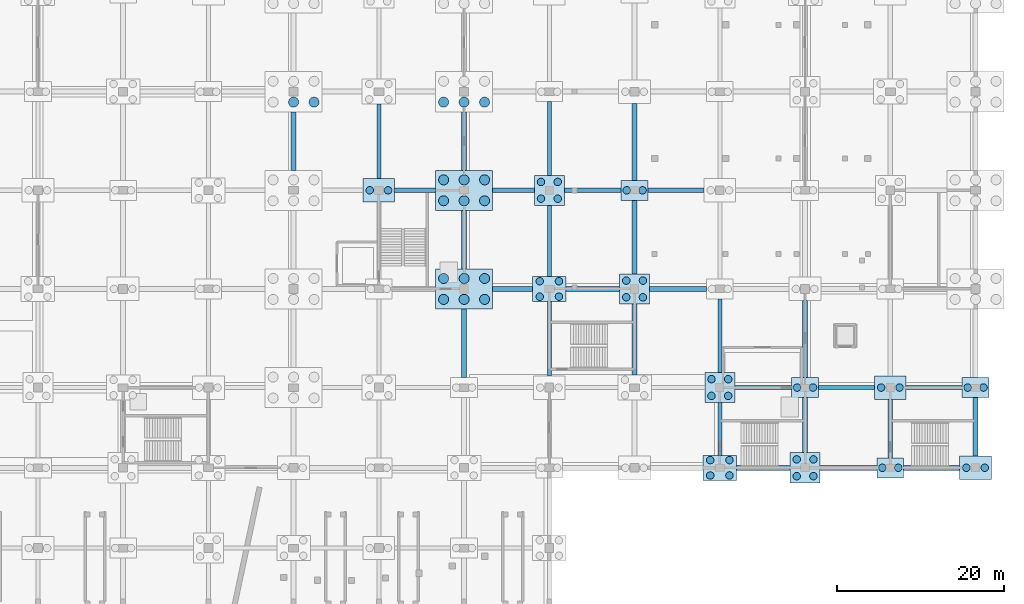
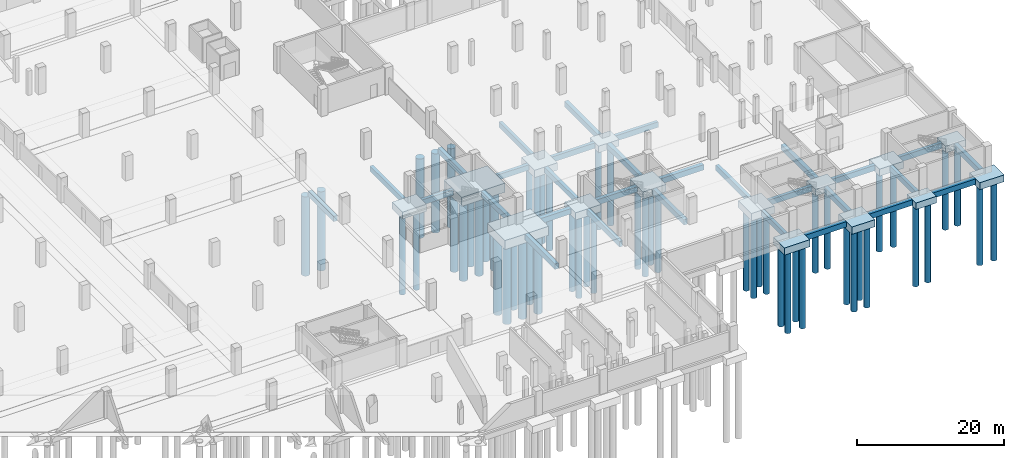
# One storey, part 12 of 52: 55 piles, 45 footings.
"""IFC4 building model written with IfcOpenShell, lengths in metres."""

from ifc_helpers import new_model, si_unit, direction, frame, origin, origin_2d, place, context, subcontext, project, spatial, polyline, rectangle, circle, outline, extrude, material, material_profile, profile_set, type_object, element, save


model = new_model("IFC4")

# Units and contexts
model_context = context("Model", 3, precision=1e-05, world=origin(), true_north=direction((0.0, 1.0)))
body_context = subcontext(model_context, "Body", "Model", "MODEL_VIEW")
ifc_project = project(units=[si_unit("LENGTHUNIT", "METRE"), si_unit("AREAUNIT", "SQUARE_METRE"), si_unit("VOLUMEUNIT", "CUBIC_METRE"), si_unit("PLANEANGLEUNIT", "RADIAN"), si_unit("MASSUNIT", "GRAM", prefix="KILO")], contexts=[model_context])

# Site, building, storey
site_placement = place(None, origin())
site = spatial("IfcSite", under=ifc_project, at=site_placement, CompositionType="ELEMENT")
building_placement = place(site_placement, origin())
building = spatial("IfcBuilding", under=site, at=building_placement, Name="Brelvane Convention Centre", CompositionType="ELEMENT")
storey_placement = place(building_placement, frame((0.0, 0.0, -4.5)))
storey = spatial("IfcBuildingStorey", under=building, at=storey_placement, Name="B1", CompositionType="ELEMENT", Elevation=-4.5)

# Piles
ifc_material_1 = material(Name="Concrete M40", Category="concrete")
ifc_material_profile_1 = material_profile(ifc_material_1, circle(Radius=0.60009765625, at=origin_2d()), Name="PILE D1200")
ifc_profile_set_1 = profile_set([ifc_material_profile_1], Name="Concrete M40")
pile_type_1 = type_object("IfcPileType", Name="Bored Pile PL-1200", PredefinedType="BORED", material=ifc_profile_set_1)
for number, where, z_axis, x_axis, name in (
    (1, (142.800048828125, 62.949951171875, -1.85009765625), (0.0, 0.0, -1.0), (1.0, 0.0, 0.0), "Bored Pile PL-1200 15-G-2"),
    (2, (145.25, 62.949951171875, -1.85009765625), (0.0, 0.0, -1.0), (1.0, 0.0, 0.0), "Bored Pile PL-1200 15-G-3"),
    (3, (160.75, 39.35009765625, -1.85009765625), (0.0, 0.0, -1.0), (1.0, 0.0, 0.0), "Bored Pile PL-1200 17-E-1"),
    (4, (163.199951171875, 39.35009765625, -1.85009765625), (0.0, 0.0, -1.0), (1.0, 0.0, 0.0), "Bored Pile PL-1200 17-E-2"),
    (5, (165.64990234375, 39.35009765625, -1.85009765625), (0.0, 0.0, -1.0), (1.0, 0.0, 0.0), "Bored Pile PL-1200 17-E-3"),
    (6, (160.75, 41.85009765625, -1.85009765625), (0.0, 0.0, -1.0), (1.0, 0.0, 0.0), "Bored Pile PL-1200 17-E-4"),
    (7, (163.199951171875, 41.85009765625, -1.85009765625), (0.0, 0.0, -1.0), (1.0, 0.0, 0.0), "Bored Pile PL-1200 17-E-5"),
    (8, (165.64990234375, 41.85009765625, -1.85009765625), (0.0, 0.0, -1.0), (1.0, 0.0, 0.0), "Bored Pile PL-1200 17-E-6"),
    (9, (160.75, 51.14990234375, -1.85009765625), (0.0, 0.0, -1.0), (1.0, 0.0, 0.0), "Bored Pile PL-1200 17-F-1"),
    (10, (163.199951171875, 51.14990234375, -1.85009765625), (0.0, 0.0, -1.0), (1.0, 0.0, 0.0), "Bored Pile PL-1200 17-F-2"),
    (11, (165.64990234375, 51.14990234375, -1.85009765625), (0.0, 0.0, -1.0), (1.0, 0.0, 0.0), "Bored Pile PL-1200 17-F-3"),
    (12, (160.75, 53.64990234375, -1.85009765625), (0.0, 0.0, -1.0), (1.0, 0.0, 0.0), "Bored Pile PL-1200 17-F-4"),
    (13, (163.199951171875, 53.64990234375, -1.85009765625), (0.0, 0.0, -1.0), (1.0, 0.0, 0.0), "Bored Pile PL-1200 17-F-5"),
    (14, (165.64990234375, 53.64990234375, -1.85009765625), (0.0, 0.0, -1.0), (1.0, 0.0, 0.0), "Bored Pile PL-1200 17-F-6"),
    (15, (160.75, 62.949951171875, -1.85009765625), (0.0, 0.0, -1.0), (1.0, 0.0, 0.0), "Bored Pile PL-1200 17-G-1"),
    (16, (163.199951171875, 62.949951171875, -1.85009765625), (0.0, 0.0, -1.0), (1.0, 0.0, 0.0), "Bored Pile PL-1200 17-G-2"),
    (17, (165.64990234375, 62.949951171875, -1.85009765625), (0.0, 0.0, -1.0), (1.0, 0.0, 0.0), "Bored Pile PL-1200 17-G-3"),
):
    element("IfcPile", number, at=place(storey_placement, frame(where, z_axis=z_axis, x_axis=x_axis)), inside=storey, type_object=pile_type_1, Name=name, PredefinedType="BORED", context=body_context, shape_type="SweptSolid", body=[
        extrude(circle(Radius=0.60009765625, at=origin_2d()), origin(), (0.0, 0.0, 1.0), 13.14990234375),
    ])
ifc_material_2 = material(Name="Concrete M40", Category="concrete")
ifc_material_profile_2 = material_profile(ifc_material_2, circle(Radius=0.449951171875, at=origin_2d()), Name="PILE D900")
ifc_profile_set_2 = profile_set([ifc_material_profile_2], Name="Concrete M40")
pile_type_2 = type_object("IfcPileType", Name="Bored Pile PL-900", PredefinedType="BORED", material=ifc_profile_set_2)
for number, where, z_axis, x_axis, name in (
    (18, (151.89990234375, 52.39990234375, -1.5), (0.0, 0.0, -1.0), (1.0, 0.0, 0.0), "Bored Pile PL-900 16-F-1"),
    (19, (154.10009765625, 52.39990234375, -1.5), (0.0, 0.0, -1.0), (1.0, 0.0, 0.0), "Bored Pile PL-900 16-F-2"),
):
    element("IfcPile", number, at=place(storey_placement, frame(where, z_axis=z_axis, x_axis=x_axis)), inside=storey, type_object=pile_type_2, Name=name, PredefinedType="BORED", context=body_context, shape_type="SweptSolid", body=[
        extrude(circle(Radius=0.449951171875, at=origin_2d()), origin(), (0.0, 0.0, 1.0), 13.5),
    ])
for number, where, z_axis, x_axis, name in (
    (20, (172.25, 39.679931640625, -1.550048828125), (0.0, 0.0, -1.0), (1.0, 0.0, 0.0), "Bored Pile PL-900 18-E-1"),
    (21, (174.550048828125, 39.679931640625, -1.550048828125), (0.0, 0.0, -1.0), (1.0, 0.0, 0.0), "Bored Pile PL-900 18-E-2"),
    (22, (172.25, 41.52001953125, -1.550048828125), (0.0, 0.0, -1.0), (1.0, 0.0, 0.0), "Bored Pile PL-900 18-E-3"),
    (23, (174.550048828125, 41.52001953125, -1.550048828125), (0.0, 0.0, -1.0), (1.0, 0.0, 0.0), "Bored Pile PL-900 18-E-4"),
    (24, (172.39990234375, 51.39990234375, -1.550048828125), (0.0, 0.0, -1.0), (1.0, 0.0, 0.0), "Bored Pile PL-900 18-F-1"),
    (25, (174.39990234375, 51.39990234375, -1.550048828125), (0.0, 0.0, -1.0), (1.0, 0.0, 0.0), "Bored Pile PL-900 18-F-2"),
    (26, (172.39990234375, 53.39990234375, -1.550048828125), (0.0, 0.0, -1.0), (1.0, 0.0, 0.0), "Bored Pile PL-900 18-F-3"),
    (27, (174.39990234375, 53.39990234375, -1.550048828125), (0.0, 0.0, -1.0), (1.0, 0.0, 0.0), "Bored Pile PL-900 18-F-4"),
    (28, (182.60009765625, 39.60009765625, -1.550048828125), (0.0, 0.0, -1.0), (1.0, 0.0, 0.0), "Bored Pile PL-900 19-E-1"),
    (29, (184.60009765625, 39.60009765625, -1.550048828125), (0.0, 0.0, -1.0), (1.0, 0.0, 0.0), "Bored Pile PL-900 19-E-2"),
    (30, (182.60009765625, 41.60009765625, -1.550048828125), (0.0, 0.0, -1.0), (1.0, 0.0, 0.0), "Bored Pile PL-900 19-E-3"),
    (31, (184.60009765625, 41.60009765625, -1.550048828125), (0.0, 0.0, -1.0), (1.0, 0.0, 0.0), "Bored Pile PL-900 19-E-4"),
):
    element("IfcPile", number, at=place(storey_placement, frame(where, z_axis=z_axis, x_axis=x_axis)), inside=storey, type_object=pile_type_2, Name=name, PredefinedType="BORED", context=body_context, shape_type="SweptSolid", body=[
        extrude(circle(Radius=0.449951171875, at=origin_2d()), origin(), (0.0, 0.0, 1.0), 13.449951171875),
    ])
for number, where, z_axis, x_axis, name in (
    (32, (182.64990234375, 52.39990234375, -1.449951171875), (0.0, 0.0, -1.0), (1.0, 0.0, 0.0), "Bored Pile PL-900 19-F-1"),
    (33, (184.550048828125, 52.39990234375, -1.449951171875), (0.0, 0.0, -1.0), (1.0, 0.0, 0.0), "Bored Pile PL-900 19-F-2"),
):
    element("IfcPile", number, at=place(storey_placement, frame(where, z_axis=z_axis, x_axis=x_axis)), inside=storey, type_object=pile_type_2, Name=name, PredefinedType="BORED", context=body_context, shape_type="SweptSolid", body=[
        extrude(circle(Radius=0.449951171875, at=origin_2d()), origin(), (0.0, 0.0, 1.0), 13.550048828125),
    ])
for number, where, z_axis, x_axis, name in (
    (34, (192.64990234375, 18.280029296875, -1.550048828125), (0.0, 0.0, -1.0), (1.0, 0.0, 0.0), "Bored Pile PL-900 20-C-1"),
    (35, (194.949951171875, 18.280029296875, -1.550048828125), (0.0, 0.0, -1.0), (1.0, 0.0, 0.0), "Bored Pile PL-900 20-C-2"),
    (36, (192.64990234375, 20.1201171875, -1.550048828125), (0.0, 0.0, -1.0), (1.0, 0.0, 0.0), "Bored Pile PL-900 20-C-3"),
    (37, (194.949951171875, 20.1201171875, -1.550048828125), (0.0, 0.0, -1.0), (1.0, 0.0, 0.0), "Bored Pile PL-900 20-C-4"),
    (38, (192.800048828125, 27.800048828125, -1.550048828125), (0.0, 0.0, -1.0), (1.0, 0.0, 0.0), "Bored Pile PL-900 20-D-1"),
    (39, (194.800048828125, 27.800048828125, -1.550048828125), (0.0, 0.0, -1.0), (1.0, 0.0, 0.0), "Bored Pile PL-900 20-D-2"),
    (40, (192.800048828125, 29.800048828125, -1.550048828125), (0.0, 0.0, -1.0), (1.0, 0.0, 0.0), "Bored Pile PL-900 20-D-3"),
    (41, (194.800048828125, 29.800048828125, -1.550048828125), (0.0, 0.0, -1.0), (1.0, 0.0, 0.0), "Bored Pile PL-900 20-D-4"),
    (42, (203.0, 18.199951171875, -1.550048828125), (0.0, 0.0, -1.0), (1.0, 0.0, 0.0), "Bored Pile PL-900 21-C-1"),
    (43, (205.0, 18.199951171875, -1.550048828125), (0.0, 0.0, -1.0), (1.0, 0.0, 0.0), "Bored Pile PL-900 21-C-2"),
    (44, (203.0, 20.199951171875, -1.550048828125), (0.0, 0.0, -1.0), (1.0, 0.0, 0.0), "Bored Pile PL-900 21-C-3"),
    (45, (205.0, 20.199951171875, -1.550048828125), (0.0, 0.0, -1.0), (1.0, 0.0, 0.0), "Bored Pile PL-900 21-C-4"),
):
    element("IfcPile", number, at=place(storey_placement, frame(where, z_axis=z_axis, x_axis=x_axis)), inside=storey, type_object=pile_type_2, Name=name, PredefinedType="BORED", context=body_context, shape_type="SweptSolid", body=[
        extrude(circle(Radius=0.449951171875, at=origin_2d()), origin(), (0.0, 0.0, 1.0), 13.449951171875),
    ])
for number, where, z_axis, x_axis, name in (
    (46, (203.050048828125, 28.800048828125, -1.449951171875), (0.0, 0.0, -1.0), (1.0, 0.0, 0.0), "Bored Pile PL-900 21-D-1"),
    (47, (204.949951171875, 28.800048828125, -1.449951171875), (0.0, 0.0, -1.0), (1.0, 0.0, 0.0), "Bored Pile PL-900 21-D-2"),
    (48, (213.25, 19.199951171875, -1.449951171875), (0.0, 0.0, -1.0), (1.0, 0.0, 0.0), "Bored Pile PL-900 22-C-1"),
    (49, (215.14990234375, 19.199951171875, -1.449951171875), (0.0, 0.0, -1.0), (1.0, 0.0, 0.0), "Bored Pile PL-900 22-C-2"),
):
    element("IfcPile", number, at=place(storey_placement, frame(where, z_axis=z_axis, x_axis=x_axis)), inside=storey, type_object=pile_type_2, Name=name, PredefinedType="BORED", context=body_context, shape_type="SweptSolid", body=[
        extrude(circle(Radius=0.449951171875, at=origin_2d()), origin(), (0.0, 0.0, 1.0), 13.550048828125),
    ])
for number, where, z_axis, x_axis, name in (
    (50, (213.10009765625, 28.800048828125, -1.5), (0.0, 0.0, -1.0), (1.0, 0.0, 0.0), "Bored Pile PL-900 22-D-1"),
    (51, (215.300048828125, 28.800048828125, -1.5), (0.0, 0.0, -1.0), (1.0, 0.0, 0.0), "Bored Pile PL-900 22-D-2"),
    (52, (223.300048828125, 19.199951171875, -1.5), (0.0, 0.0, -1.0), (1.0, 0.0, 0.0), "Bored Pile PL-900 23-C-1"),
    (53, (225.5, 19.199951171875, -1.5), (0.0, 0.0, -1.0), (1.0, 0.0, 0.0), "Bored Pile PL-900 23-C-2"),
):
    element("IfcPile", number, at=place(storey_placement, frame(where, z_axis=z_axis, x_axis=x_axis)), inside=storey, type_object=pile_type_2, Name=name, PredefinedType="BORED", context=body_context, shape_type="SweptSolid", body=[
        extrude(circle(Radius=0.449951171875, at=origin_2d()), origin(), (0.0, 0.0, 1.0), 13.5),
    ])
for number, where, z_axis, x_axis, name in (
    (54, (223.449951171875, 28.800048828125, -1.449951171875), (0.0, 0.0, -1.0), (1.0, 0.0, 0.0), "Bored Pile PL-900 23-D-1"),
    (55, (225.35009765625, 28.800048828125, -1.449951171875), (0.0, 0.0, -1.0), (1.0, 0.0, 0.0), "Bored Pile PL-900 23-D-2"),
):
    element("IfcPile", number, at=place(storey_placement, frame(where, z_axis=z_axis, x_axis=x_axis)), inside=storey, type_object=pile_type_2, Name=name, PredefinedType="BORED", context=body_context, shape_type="SweptSolid", body=[
        extrude(circle(Radius=0.449951171875, at=origin_2d()), origin(), (0.0, 0.0, 1.0), 13.550048828125),
    ])

# Footings
ifc_material_3 = material(Name="Concrete M40", Category="concrete")
ifc_material_profile_3 = material_profile(ifc_material_3, rectangle(XDim=0.60009765625, YDim=0.89990234375, at=origin_2d()), Name="RC 600x900")
ifc_profile_set_3 = profile_set([ifc_material_profile_3], Name="Concrete M40")
footing_type_1 = type_object("IfcFootingType", Name="Ground Tie Beam GB-1", PredefinedType="FOOTING_BEAM", material=ifc_profile_set_3)
footing_1_placement = place(storey_placement, frame((142.800048828125, 54.800048828125, -0.89990234375), z_axis=(0.0, 1.0, 0.0), x_axis=(-1.0, 0.0, 0.0)))
element("IfcFooting", 56, at=footing_1_placement, inside=storey, type_object=footing_type_1, Name="Ground Tie Beam GB-1 15/F-G", PredefinedType="FOOTING_BEAM", context=body_context, shape_type="SweptSolid", body=[
    extrude(rectangle(XDim=0.60009765625, YDim=0.89990234375, at=origin_2d()), origin(), (0.0, 0.0, 1.0), 7.0),
])
footing_2_placement = place(storey_placement, frame((163.199951171875, 30.0, -0.89990234375), z_axis=(0.0, 1.0, 0.0), x_axis=(-1.0, 0.0, 0.0)))
element("IfcFooting", 57, at=footing_2_placement, inside=storey, type_object=footing_type_1, Name="Ground Tie Beam GB-1 17/D-E", PredefinedType="FOOTING_BEAM", context=body_context, shape_type="SweptSolid", body=[
    extrude(rectangle(XDim=0.60009765625, YDim=0.89990234375, at=origin_2d()), origin(), (0.0, 0.0, 1.0), 8.199951171875),
])
footing_3_placement = place(storey_placement, frame((166.60009765625, 40.60009765625, -0.89990234375), z_axis=(1.0, 0.0, 0.0), x_axis=(0.0, 1.0, 0.0)))
element("IfcFooting", 58, at=footing_3_placement, inside=storey, type_object=footing_type_1, Name="Ground Tie Beam GB-1 17-18/E", PredefinedType="FOOTING_BEAM", context=body_context, shape_type="SweptSolid", body=[
    extrude(rectangle(XDim=0.60009765625, YDim=0.89990234375, at=origin_2d()), origin(), (0.0, 0.0, 1.0), 4.7998046875),
])
for number, where, z_axis, x_axis, name in (
    (59, (163.199951171875, 43.0, -0.89990234375), (0.0, 1.0, 0.0), (-1.0, 0.0, 0.0), "Ground Tie Beam GB-1 17/E-F"),
    (60, (163.199951171875, 54.800048828125, -0.89990234375), (0.0, 1.0, 0.0), (-1.0, 0.0, 0.0), "Ground Tie Beam GB-1 17/F-G"),
):
    element("IfcFooting", number, at=place(storey_placement, frame(where, z_axis=z_axis, x_axis=x_axis)), inside=storey, type_object=footing_type_1, Name=name, PredefinedType="FOOTING_BEAM", context=body_context, shape_type="SweptSolid", body=[
        extrude(rectangle(XDim=0.60009765625, YDim=0.89990234375, at=origin_2d()), origin(), (0.0, 0.0, 1.0), 7.0),
    ])
footing_4_placement = place(storey_placement, frame((175.39990234375, 40.60009765625, -0.89990234375), z_axis=(1.0, 0.0, 0.0), x_axis=(0.0, 1.0, 0.0)))
element("IfcFooting", 61, at=footing_4_placement, inside=storey, type_object=footing_type_1, Name="Ground Tie Beam GB-1 18-19/E", PredefinedType="FOOTING_BEAM", context=body_context, shape_type="SweptSolid", body=[
    extrude(rectangle(XDim=0.60009765625, YDim=0.89990234375, at=origin_2d()), origin(), (0.0, 0.0, 1.0), 6.400146484375),
])
footing_5_placement = place(storey_placement, frame((183.60009765625, 30.300048828125, -0.89990234375), z_axis=(0.0, 1.0, 0.0), x_axis=(-1.0, 0.0, 0.0)))
element("IfcFooting", 62, at=footing_5_placement, inside=storey, type_object=footing_type_1, Name="Ground Tie Beam GB-1 19/D-E", PredefinedType="FOOTING_BEAM", context=body_context, shape_type="SweptSolid", body=[
    extrude(rectangle(XDim=0.60009765625, YDim=0.89990234375, at=origin_2d()), origin(), (0.0, 0.0, 1.0), 8.5),
])
footing_6_placement = place(storey_placement, frame((185.39990234375, 40.60009765625, -0.89990234375), z_axis=(1.0, 0.0, 0.0), x_axis=(0.0, 1.0, 0.0)))
element("IfcFooting", 63, at=footing_6_placement, inside=storey, type_object=footing_type_1, Name="Ground Tie Beam GB-1 19-20/E", PredefinedType="FOOTING_BEAM", context=body_context, shape_type="SweptSolid", body=[
    extrude(rectangle(XDim=0.60009765625, YDim=0.89990234375, at=origin_2d()), origin(), (0.0, 0.0, 1.0), 6.800048828125),
])
footing_7_placement = place(storey_placement, frame((183.60009765625, 42.39990234375, -0.89990234375), z_axis=(0.0, 1.0, 0.0), x_axis=(-1.0, 0.0, 0.0)))
element("IfcFooting", 64, at=footing_7_placement, inside=storey, type_object=footing_type_1, Name="Ground Tie Beam GB-1 19/E-F", PredefinedType="FOOTING_BEAM", context=body_context, shape_type="SweptSolid", body=[
    extrude(rectangle(XDim=0.60009765625, YDim=0.89990234375, at=origin_2d()), origin(), (0.0, 0.0, 1.0), 8.800048828125),
])
footing_8_placement = place(storey_placement, frame((183.60009765625, 53.60009765625, -0.89990234375), z_axis=(0.0, 1.0, 0.0), x_axis=(-1.0, 0.0, 0.0)))
element("IfcFooting", 65, at=footing_8_placement, inside=storey, type_object=footing_type_1, Name="Ground Tie Beam GB-1 19/F-G", PredefinedType="FOOTING_BEAM", context=body_context, shape_type="SweptSolid", body=[
    extrude(rectangle(XDim=0.60009765625, YDim=0.89990234375, at=origin_2d()), origin(), (0.0, 0.0, 1.0), 9.199951171875),
])
footing_9_placement = place(storey_placement, frame((195.800048828125, 19.199951171875, -0.89990234375), z_axis=(1.0, 0.0, 0.0), x_axis=(0.0, 1.0, 0.0)))
element("IfcFooting", 66, at=footing_9_placement, inside=storey, type_object=footing_type_1, Name="Ground Tie Beam GB-1 20-21/C", PredefinedType="FOOTING_BEAM", context=body_context, shape_type="SweptSolid", body=[
    extrude(rectangle(XDim=0.60009765625, YDim=0.89990234375, at=origin_2d()), origin(), (0.0, 0.0, 1.0), 6.39990234375),
])
footing_10_placement = place(storey_placement, frame((205.800048828125, 19.199951171875, -0.89990234375), z_axis=(1.0, 0.0, 0.0), x_axis=(0.0, 1.0, 0.0)))
element("IfcFooting", 67, at=footing_10_placement, inside=storey, type_object=footing_type_1, Name="Ground Tie Beam GB-1 21-22/C", PredefinedType="FOOTING_BEAM", context=body_context, shape_type="SweptSolid", body=[
    extrude(rectangle(XDim=0.60009765625, YDim=0.89990234375, at=origin_2d()), origin(), (0.0, 0.0, 1.0), 6.800048828125),
])
footing_11_placement = place(storey_placement, frame((204.0, 21.0, -0.89990234375), z_axis=(0.0, 1.0, 0.0), x_axis=(-1.0, 0.0, 0.0)))
element("IfcFooting", 68, at=footing_11_placement, inside=storey, type_object=footing_type_1, Name="Ground Tie Beam GB-1 21/C-D", PredefinedType="FOOTING_BEAM", context=body_context, shape_type="SweptSolid", body=[
    extrude(rectangle(XDim=0.60009765625, YDim=0.89990234375, at=origin_2d()), origin(), (0.0, 0.0, 1.0), 6.60009765625),
])
footing_12_placement = place(storey_placement, frame((204.0, 30.0, -0.89990234375), z_axis=(0.0, 1.0, 0.0), x_axis=(-1.0, 0.0, 0.0)))
element("IfcFooting", 69, at=footing_12_placement, inside=storey, type_object=footing_type_1, Name="Ground Tie Beam GB-1 21/D-E", PredefinedType="FOOTING_BEAM", context=body_context, shape_type="SweptSolid", body=[
    extrude(rectangle(XDim=0.60009765625, YDim=0.89990234375, at=origin_2d()), origin(), (0.0, 0.0, 1.0), 9.199951171875),
])
footing_13_placement = place(storey_placement, frame((215.800048828125, 19.199951171875, -0.89990234375), z_axis=(1.0, 0.0, 0.0), x_axis=(0.0, 1.0, 0.0)))
element("IfcFooting", 70, at=footing_13_placement, inside=storey, type_object=footing_type_1, Name="Ground Tie Beam GB-1 22-23/C", PredefinedType="FOOTING_BEAM", context=body_context, shape_type="SweptSolid", body=[
    extrude(rectangle(XDim=0.60009765625, YDim=0.89990234375, at=origin_2d()), origin(), (0.0, 0.0, 1.0), 6.699951171875),
])
footing_14_placement = place(storey_placement, frame((224.39990234375, 20.60009765625, -0.89990234375), z_axis=(0.0, 1.0, 0.0), x_axis=(-1.0, 0.0, 0.0)))
element("IfcFooting", 71, at=footing_14_placement, inside=storey, type_object=footing_type_1, Name="Ground Tie Beam GB-1 23/C-D", PredefinedType="FOOTING_BEAM", context=body_context, shape_type="SweptSolid", body=[
    extrude(rectangle(XDim=0.60009765625, YDim=0.89990234375, at=origin_2d()), origin(), (0.0, 0.0, 1.0), 7.0),
])
ifc_material_4 = material(Name="Concrete M40", Category="concrete")
ifc_material_profile_4 = material_profile(ifc_material_4, rectangle(XDim=0.5, YDim=0.89990234375, at=origin_2d()), Name="RC 500x900")
ifc_profile_set_4 = profile_set([ifc_material_profile_4], Name="Concrete M40")
footing_type_2 = type_object("IfcFootingType", Name="Ground Tie Beam GB-2", PredefinedType="FOOTING_BEAM", material=ifc_profile_set_4)
footing_15_placement = place(storey_placement, frame((154.89990234375, 52.39990234375, -0.89990234375), z_axis=(1.0, 0.0, 0.0), x_axis=(0.0, 1.0, 0.0)))
element("IfcFooting", 72, at=footing_15_placement, inside=storey, type_object=footing_type_2, Name="Ground Tie Beam GB-2 16-17/F", PredefinedType="FOOTING_BEAM", context=body_context, shape_type="SweptSolid", body=[
    extrude(rectangle(XDim=0.5, YDim=0.89990234375, at=origin_2d()), origin(), (0.0, 0.0, 1.0), 4.900146484375),
])
footing_16_placement = place(storey_placement, frame((153.0, 53.800048828125, -0.89990234375), z_axis=(0.0, 1.0, 0.0), x_axis=(-1.0, 0.0, 0.0)))
element("IfcFooting", 73, at=footing_16_placement, inside=storey, type_object=footing_type_2, Name="Ground Tie Beam GB-2 16/F-G", PredefinedType="FOOTING_BEAM", context=body_context, shape_type="SweptSolid", body=[
    extrude(rectangle(XDim=0.5, YDim=0.89990234375, at=origin_2d()), origin(), (0.0, 0.0, 1.0), 8.89990234375),
])
footing_17_placement = place(storey_placement, frame((166.60009765625, 52.39990234375, -0.89990234375), z_axis=(1.0, 0.0, 0.0), x_axis=(0.0, 1.0, 0.0)))
element("IfcFooting", 74, at=footing_17_placement, inside=storey, type_object=footing_type_2, Name="Ground Tie Beam GB-2 17-18/F", PredefinedType="FOOTING_BEAM", context=body_context, shape_type="SweptSolid", body=[
    extrude(rectangle(XDim=0.5, YDim=0.89990234375, at=origin_2d()), origin(), (0.0, 0.0, 1.0), 5.0),
])
footing_18_placement = place(storey_placement, frame((173.39990234375, 30.199951171875, -0.89990234375), z_axis=(0.0, 1.0, 0.0), x_axis=(-1.0, 0.0, 0.0)))
element("IfcFooting", 75, at=footing_18_placement, inside=storey, type_object=footing_type_2, Name="Ground Tie Beam GB-2 18/D-E", PredefinedType="FOOTING_BEAM", context=body_context, shape_type="SweptSolid", body=[
    extrude(rectangle(XDim=0.5, YDim=0.89990234375, at=origin_2d()), origin(), (0.0, 0.0, 1.0), 8.900146484375),
])
footing_19_placement = place(storey_placement, frame((173.39990234375, 42.10009765625, -0.89990234375), z_axis=(0.0, 1.0, 0.0), x_axis=(-1.0, 0.0, 0.0)))
element("IfcFooting", 76, at=footing_19_placement, inside=storey, type_object=footing_type_2, Name="Ground Tie Beam GB-2 18/E-F", PredefinedType="FOOTING_BEAM", context=body_context, shape_type="SweptSolid", body=[
    extrude(rectangle(XDim=0.5, YDim=0.89990234375, at=origin_2d()), origin(), (0.0, 0.0, 1.0), 8.5),
])
footing_20_placement = place(storey_placement, frame((175.199951171875, 52.39990234375, -0.89990234375), z_axis=(1.0, 0.0, 0.0), x_axis=(0.0, 1.0, 0.0)))
element("IfcFooting", 77, at=footing_20_placement, inside=storey, type_object=footing_type_2, Name="Ground Tie Beam GB-2 18-19/F", PredefinedType="FOOTING_BEAM", context=body_context, shape_type="SweptSolid", body=[
    extrude(rectangle(XDim=0.5, YDim=0.89990234375, at=origin_2d()), origin(), (0.0, 0.0, 1.0), 6.800048828125),
])
footing_21_placement = place(storey_placement, frame((173.39990234375, 54.199951171875, -0.89990234375), z_axis=(0.0, 1.0, 0.0), x_axis=(-1.0, 0.0, 0.0)))
element("IfcFooting", 78, at=footing_21_placement, inside=storey, type_object=footing_type_2, Name="Ground Tie Beam GB-2 18/F-G", PredefinedType="FOOTING_BEAM", context=body_context, shape_type="SweptSolid", body=[
    extrude(rectangle(XDim=0.5, YDim=0.89990234375, at=origin_2d()), origin(), (0.0, 0.0, 1.0), 8.800048828125),
])
footing_22_placement = place(storey_placement, frame((185.199951171875, 52.39990234375, -0.89990234375), z_axis=(1.0, 0.0, 0.0), x_axis=(0.0, 1.0, 0.0)))
element("IfcFooting", 79, at=footing_22_placement, inside=storey, type_object=footing_type_2, Name="Ground Tie Beam GB-2 19-20/F", PredefinedType="FOOTING_BEAM", context=body_context, shape_type="SweptSolid", body=[
    extrude(rectangle(XDim=0.5, YDim=0.89990234375, at=origin_2d()), origin(), (0.0, 0.0, 1.0), 6.699951171875),
])
footing_23_placement = place(storey_placement, frame((193.800048828125, 20.699951171875, -0.89990234375), z_axis=(0.0, 1.0, 0.0), x_axis=(-1.0, 0.0, 0.0)))
element("IfcFooting", 80, at=footing_23_placement, inside=storey, type_object=footing_type_2, Name="Ground Tie Beam GB-2 20/C-D", PredefinedType="FOOTING_BEAM", context=body_context, shape_type="SweptSolid", body=[
    extrude(rectangle(XDim=0.5, YDim=0.89990234375, at=origin_2d()), origin(), (0.0, 0.0, 1.0), 6.300048828125),
])
footing_24_placement = place(storey_placement, frame((195.60009765625, 28.800048828125, -0.89990234375), z_axis=(1.0, 0.0, 0.0), x_axis=(0.0, 1.0, 0.0)))
element("IfcFooting", 81, at=footing_24_placement, inside=storey, type_object=footing_type_2, Name="Ground Tie Beam GB-2 20-21/D", PredefinedType="FOOTING_BEAM", context=body_context, shape_type="SweptSolid", body=[
    extrude(rectangle(XDim=0.5, YDim=0.89990234375, at=origin_2d()), origin(), (0.0, 0.0, 1.0), 6.7998046875),
])
footing_25_placement = place(storey_placement, frame((193.800048828125, 30.60009765625, -0.89990234375), z_axis=(0.0, 1.0, 0.0), x_axis=(-1.0, 0.0, 0.0)))
element("IfcFooting", 82, at=footing_25_placement, inside=storey, type_object=footing_type_2, Name="Ground Tie Beam GB-2 20/D-E", PredefinedType="FOOTING_BEAM", context=body_context, shape_type="SweptSolid", body=[
    extrude(rectangle(XDim=0.5, YDim=0.89990234375, at=origin_2d()), origin(), (0.0, 0.0, 1.0), 8.7998046875),
])
footing_26_placement = place(storey_placement, frame((205.60009765625, 28.800048828125, -0.89990234375), z_axis=(1.0, 0.0, 0.0), x_axis=(0.0, 1.0, 0.0)))
element("IfcFooting", 83, at=footing_26_placement, inside=storey, type_object=footing_type_2, Name="Ground Tie Beam GB-2 21-22/D", PredefinedType="FOOTING_BEAM", context=body_context, shape_type="SweptSolid", body=[
    extrude(rectangle(XDim=0.5, YDim=0.89990234375, at=origin_2d()), origin(), (0.0, 0.0, 1.0), 6.699951171875),
])
footing_27_placement = place(storey_placement, frame((214.199951171875, 20.39990234375, -0.89990234375), z_axis=(0.0, 1.0, 0.0), x_axis=(-1.0, 0.0, 0.0)))
element("IfcFooting", 84, at=footing_27_placement, inside=storey, type_object=footing_type_2, Name="Ground Tie Beam GB-2 22/C-D", PredefinedType="FOOTING_BEAM", context=body_context, shape_type="SweptSolid", body=[
    extrude(rectangle(XDim=0.5, YDim=0.89990234375, at=origin_2d()), origin(), (0.0, 0.0, 1.0), 7.0),
])
footing_28_placement = place(storey_placement, frame((216.10009765625, 28.800048828125, -0.89990234375), z_axis=(1.0, 0.0, 0.0), x_axis=(0.0, 1.0, 0.0)))
element("IfcFooting", 85, at=footing_28_placement, inside=storey, type_object=footing_type_2, Name="Ground Tie Beam GB-2 22-23/D", PredefinedType="FOOTING_BEAM", context=body_context, shape_type="SweptSolid", body=[
    extrude(rectangle(XDim=0.5, YDim=0.89990234375, at=origin_2d()), origin(), (0.0, 0.0, 1.0), 6.699951171875),
])
ifc_material_5 = material(Name="Concrete M40", Category="concrete")
footing_type_3 = type_object("IfcFootingType", Name="Pile Cap PC-2", PredefinedType="PILE_CAP", material=ifc_material_5)
footing_29_placement = place(storey_placement, frame((0.0, 0.0, -1.550048828125)))
element("IfcFooting", 86, at=footing_29_placement, inside=storey, type_object=footing_type_3, Name="Pile Cap PC-2 at 19-F", PredefinedType="PILE_CAP", context=body_context, shape_type="SweptSolid", body=[
    extrude(outline(polyline([(182.0, 51.199951171875), (185.199951171875, 51.199951171875), (185.199951171875, 53.60009765625), (182.0, 53.60009765625), (182.0, 51.199951171875)])), origin(), (0.0, 0.0, 1.0), 1.10009765625),
])
footing_30_placement = place(storey_placement, frame((0.0, 0.0, -1.550048828125)))
element("IfcFooting", 87, at=footing_30_placement, inside=storey, type_object=footing_type_3, Name="Pile Cap PC-2 at 21-D", PredefinedType="PILE_CAP", context=body_context, shape_type="SweptSolid", body=[
    extrude(outline(polyline([(202.39990234375, 27.60009765625), (205.60009765625, 27.60009765625), (205.60009765625, 30.0), (202.39990234375, 30.0), (202.39990234375, 27.60009765625)])), origin(), (0.0, 0.0, 1.0), 1.10009765625),
])
footing_31_placement = place(storey_placement, frame((0.0, 0.0, -1.550048828125)))
element("IfcFooting", 88, at=footing_31_placement, inside=storey, type_object=footing_type_3, Name="Pile Cap PC-2 at 22-C", PredefinedType="PILE_CAP", context=body_context, shape_type="SweptSolid", body=[
    extrude(outline(polyline([(212.60009765625, 18.0), (215.800048828125, 18.0), (215.800048828125, 20.39990234375), (212.60009765625, 20.39990234375), (212.60009765625, 18.0)])), origin(), (0.0, 0.0, 1.0), 1.10009765625),
])
footing_32_placement = place(storey_placement, frame((0.0, 0.0, -1.550048828125)))
element("IfcFooting", 89, at=footing_32_placement, inside=storey, type_object=footing_type_3, Name="Pile Cap PC-2 at 23-D", PredefinedType="PILE_CAP", context=body_context, shape_type="SweptSolid", body=[
    extrude(outline(polyline([(222.800048828125, 27.60009765625), (226.0, 27.60009765625), (226.0, 30.0), (222.800048828125, 30.0), (222.800048828125, 27.60009765625)])), origin(), (0.0, 0.0, 1.0), 1.10009765625),
])
ifc_material_6 = material(Name="Concrete M40", Category="concrete")
footing_type_4 = type_object("IfcFootingType", Name="Pile Cap PC-3", PredefinedType="PILE_CAP", material=ifc_material_6)
footing_33_placement = place(storey_placement, frame((0.0, 0.0, -1.64990234375)))
element("IfcFooting", 90, at=footing_33_placement, inside=storey, type_object=footing_type_4, Name="Pile Cap PC-3 at 18-F", PredefinedType="PILE_CAP", context=body_context, shape_type="SweptSolid", body=[
    extrude(outline(polyline([(171.60009765625, 50.60009765625), (175.199951171875, 50.60009765625), (175.199951171875, 54.199951171875), (171.60009765625, 54.199951171875), (171.60009765625, 50.60009765625)])), origin(), (0.0, 0.0, 1.0), 1.199951171875),
])
footing_34_placement = place(storey_placement, frame((0.0, 0.0, -1.64990234375)))
element("IfcFooting", 91, at=footing_34_placement, inside=storey, type_object=footing_type_4, Name="Pile Cap PC-3 at 19-E", PredefinedType="PILE_CAP", context=body_context, shape_type="SweptSolid", body=[
    extrude(outline(polyline([(181.800048828125, 38.800048828125), (185.39990234375, 38.800048828125), (185.39990234375, 42.39990234375), (181.800048828125, 42.39990234375), (181.800048828125, 38.800048828125)])), origin(), (0.0, 0.0, 1.0), 1.199951171875),
])
footing_35_placement = place(storey_placement, frame((0.0, 0.0, -1.64990234375)))
element("IfcFooting", 92, at=footing_35_placement, inside=storey, type_object=footing_type_4, Name="Pile Cap PC-3 at 20-D", PredefinedType="PILE_CAP", context=body_context, shape_type="SweptSolid", body=[
    extrude(outline(polyline([(192.0, 27.0), (195.60009765625, 27.0), (195.60009765625, 30.60009765625), (192.0, 30.60009765625), (192.0, 27.0)])), origin(), (0.0, 0.0, 1.0), 1.199951171875),
])
footing_36_placement = place(storey_placement, frame((0.0, 0.0, -1.64990234375)))
element("IfcFooting", 93, at=footing_36_placement, inside=storey, type_object=footing_type_4, Name="Pile Cap PC-3 at 21-C", PredefinedType="PILE_CAP", context=body_context, shape_type="SweptSolid", body=[
    extrude(outline(polyline([(202.199951171875, 17.39990234375), (205.800048828125, 17.39990234375), (205.800048828125, 21.0), (202.199951171875, 21.0), (202.199951171875, 17.39990234375)])), origin(), (0.0, 0.0, 1.0), 1.199951171875),
])
ifc_material_7 = material(Name="Concrete M40", Category="concrete")
footing_type_5 = type_object("IfcFootingType", Name="Pile Cap PC-4", PredefinedType="PILE_CAP", material=ifc_material_7)
footing_37_placement = place(storey_placement, frame((0.0, 0.0, -1.64990234375)))
element("IfcFooting", 94, at=footing_37_placement, inside=storey, type_object=footing_type_5, Name="Pile Cap PC-4 at 18-E", PredefinedType="PILE_CAP", context=body_context, shape_type="SweptSolid", body=[
    extrude(outline(polyline([(171.39990234375, 39.10009765625), (175.39990234375, 39.10009765625), (175.39990234375, 42.10009765625), (171.39990234375, 42.10009765625), (171.39990234375, 39.10009765625)])), origin(), (0.0, 0.0, 1.0), 1.199951171875),
])
footing_38_placement = place(storey_placement, frame((0.0, 0.0, -1.64990234375)))
element("IfcFooting", 95, at=footing_38_placement, inside=storey, type_object=footing_type_5, Name="Pile Cap PC-4 at 20-C", PredefinedType="PILE_CAP", context=body_context, shape_type="SweptSolid", body=[
    extrude(outline(polyline([(191.800048828125, 17.699951171875), (195.800048828125, 17.699951171875), (195.800048828125, 20.699951171875), (191.800048828125, 20.699951171875), (191.800048828125, 17.699951171875)])), origin(), (0.0, 0.0, 1.0), 1.199951171875),
])
ifc_material_8 = material(Name="Concrete M40", Category="concrete")
footing_type_6 = type_object("IfcFootingType", Name="Pile Cap PC-8", PredefinedType="PILE_CAP", material=ifc_material_8)
footing_39_placement = place(storey_placement, frame((0.0, 0.0, -1.949951171875)))
element("IfcFooting", 96, at=footing_39_placement, inside=storey, type_object=footing_type_6, Name="Pile Cap PC-8 at 17-E", PredefinedType="PILE_CAP", context=body_context, shape_type="SweptSolid", body=[
    extrude(outline(polyline([(159.800048828125, 38.199951171875), (166.60009765625, 38.199951171875), (166.60009765625, 43.0), (159.800048828125, 43.0), (159.800048828125, 38.199951171875)])), origin(), (0.0, 0.0, 1.0), 1.5),
])
footing_40_placement = place(storey_placement, frame((0.0, 0.0, -1.949951171875)))
element("IfcFooting", 97, at=footing_40_placement, inside=storey, type_object=footing_type_6, Name="Pile Cap PC-8 at 17-F", PredefinedType="PILE_CAP", context=body_context, shape_type="SweptSolid", body=[
    extrude(outline(polyline([(159.800048828125, 50.0), (166.60009765625, 50.0), (166.60009765625, 54.800048828125), (159.800048828125, 54.800048828125), (159.800048828125, 50.0)])), origin(), (0.0, 0.0, 1.0), 1.5),
])
ifc_material_9 = material(Name="Concrete M40", Category="concrete")
footing_type_7 = type_object("IfcFootingType", Name="Pile Cap PC-9", PredefinedType="PILE_CAP", material=ifc_material_9)
footing_41_placement = place(storey_placement, frame((0.0, 0.0, -1.60009765625)))
element("IfcFooting", 98, at=footing_41_placement, inside=storey, type_object=footing_type_7, Name="Pile Cap PC-9 at 16-F", PredefinedType="PILE_CAP", context=body_context, shape_type="SweptSolid", body=[
    extrude(outline(polyline([(151.10009765625, 51.0), (154.89990234375, 51.0), (154.89990234375, 53.800048828125), (151.10009765625, 53.800048828125), (151.10009765625, 51.0)])), origin(), (0.0, 0.0, 1.0), 1.150146484375),
])
footing_42_placement = place(storey_placement, frame((0.0, 0.0, -1.60009765625)))
element("IfcFooting", 99, at=footing_42_placement, inside=storey, type_object=footing_type_7, Name="Pile Cap PC-9 at 22-D", PredefinedType="PILE_CAP", context=body_context, shape_type="SweptSolid", body=[
    extrude(outline(polyline([(212.300048828125, 27.39990234375), (216.10009765625, 27.39990234375), (216.10009765625, 30.199951171875), (212.300048828125, 30.199951171875), (212.300048828125, 27.39990234375)])), origin(), (0.0, 0.0, 1.0), 1.150146484375),
])
footing_43_placement = place(storey_placement, frame((0.0, 0.0, -1.60009765625)))
element("IfcFooting", 100, at=footing_43_placement, inside=storey, type_object=footing_type_7, Name="Pile Cap PC-9 at 23-C", PredefinedType="PILE_CAP", context=body_context, shape_type="SweptSolid", body=[
    extrude(outline(polyline([(222.5, 17.800048828125), (226.300048828125, 17.800048828125), (226.300048828125, 20.60009765625), (222.5, 20.60009765625), (222.5, 17.800048828125)])), origin(), (0.0, 0.0, 1.0), 1.150146484375),
])

save(model, "model.ifc")
